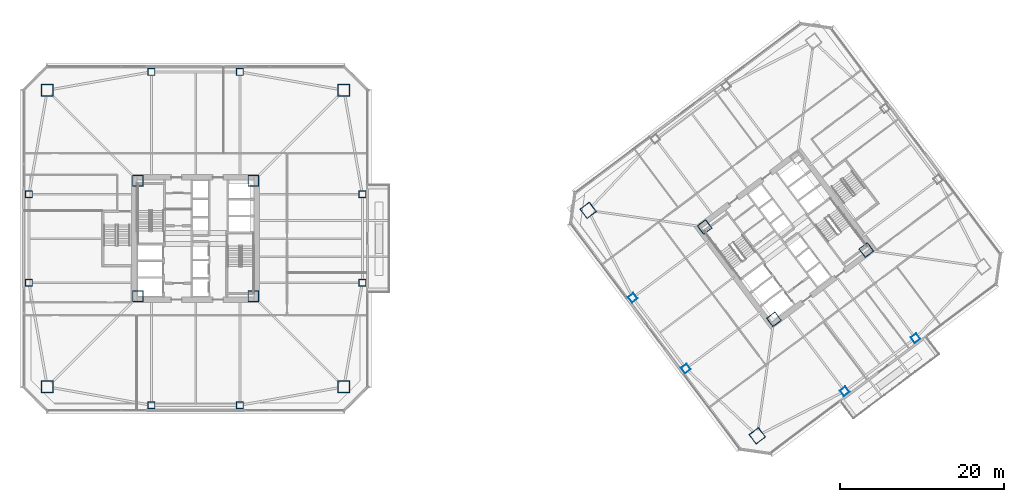
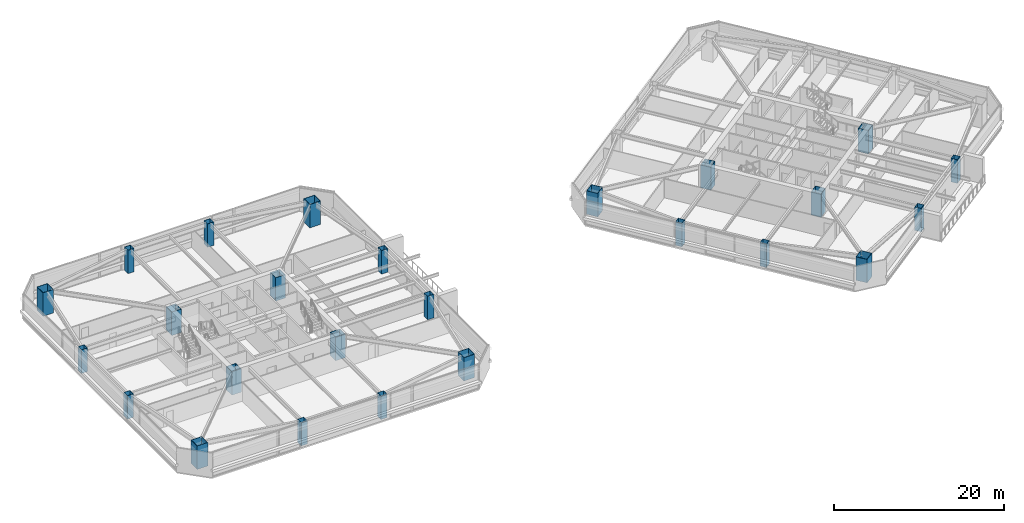
# One storey, part 1 of 46: 25 columns.
"""IFC4 building model written with IfcOpenShell, lengths in metres."""

import ifcopenshell
import ifcopenshell.guid

model = None  # the IFC model being written
_history = None  # IfcOwnerHistory: only IFC2X3 demands one
_inside = {}  # id of a spatial element -> (the spatial element, [elements in it])
_under = {}  # id of a project, library or spatial element -> (it, [spatial elements below it])
_declared = {}  # id of a project -> (the project, [libraries it declares])
_typed = {}  # id of a type object -> (the type object, [elements of that type])
_made_of = {}  # id of a material, layer set ... -> (it, [elements and type objects made of it])


def new_model(schema):
    """Start an empty IFC model of exactly this schema.

    Asked for "IFC4X3", IfcOpenShell would pick the latest addendum, in which some entities
    have other attributes; the version numbers below select the first issue.
    IFC2X3 requires an IfcOwnerHistory on every rooted entity: one is made here for all.
    """
    global model, _history
    if schema == "IFC4X3":
        model = ifcopenshell.file(schema_version=(4, 3, 0, 0))
    else:
        model = ifcopenshell.file(schema=schema)
    _inside.clear()
    _under.clear()
    _declared.clear()
    _typed.clear()
    _made_of.clear()
    _history = None
    if model.schema == "IFC2X3":
        org = make("IfcOrganization", Name="unknown")
        user = make(
            "IfcPersonAndOrganization",
            ThePerson=make("IfcPerson", FamilyName="unknown"),
            TheOrganization=org,
        )
        app = make(
            "IfcApplication",
            ApplicationDeveloper=org,
            Version="unknown",
            ApplicationFullName="unknown",
            ApplicationIdentifier="unknown",
        )
        _history = make(
            "IfcOwnerHistory",
            OwningUser=user,
            OwningApplication=app,
            ChangeAction="ADDED",
            CreationDate=0,
        )
    return model


def make(cls, **values):
    """One entity of the class cls with the attributes given. An attribute that is None is left unset."""
    return model.create_entity(
        cls, **{name: value for name, value in values.items() if value is not None}
    )


def rooted(cls, **values):
    """An entity with a GlobalId (a new one), such as an element, a storey or a relation."""
    return make(cls, GlobalId=ifcopenshell.guid.new(), OwnerHistory=_history, **values)


def si_unit(unit_type, name, prefix=None):
    """IfcSIUnit, for example si_unit("LENGTHUNIT", "METRE", prefix="MILLI")."""
    return make("IfcSIUnit", UnitType=unit_type, Prefix=prefix, Name=name)


def assignment(units):
    """IfcUnitAssignment: the units of a project."""
    return None if units is None else make("IfcUnitAssignment", Units=units)


def point(xyz):
    """IfcCartesianPoint."""
    return None if xyz is None else make("IfcCartesianPoint", Coordinates=xyz)


def direction(xyz):
    """IfcDirection."""
    return None if xyz is None else make("IfcDirection", DirectionRatios=xyz)


def frame(location, z_axis=None, x_axis=None):
    """IfcAxis2Placement3D, a coordinate frame: its origin and axes. An axis left out is left unset."""
    return make(
        "IfcAxis2Placement3D",
        Location=point(location),
        Axis=direction(z_axis),
        RefDirection=direction(x_axis),
    )


def frame_2d(location, x_axis=None):
    """IfcAxis2Placement2D, a coordinate frame in the plane: its origin and x axis."""
    return make(
        "IfcAxis2Placement2D", Location=point(location), RefDirection=direction(x_axis)
    )


def origin():
    """The frame at (0, 0, 0) with its axes left unset."""
    return frame((0.0, 0.0, 0.0))


def origin_2d():
    """The frame at (0, 0) in the plane with its x axis left unset."""
    return frame_2d((0.0, 0.0))


def place(relative_to, where):
    """IfcLocalPlacement: puts the frame where relative to a parent placement (None: the world)."""
    return make(
        "IfcLocalPlacement", PlacementRelTo=relative_to, RelativePlacement=where
    )


def context(
    kind, dimensions, precision=None, world=None, true_north=None, identifier=None
):
    """IfcGeometricRepresentationContext, for example the 3D "Model" context."""
    return make(
        "IfcGeometricRepresentationContext",
        ContextIdentifier=identifier,
        ContextType=kind,
        CoordinateSpaceDimension=dimensions,
        Precision=precision,
        WorldCoordinateSystem=world,
        TrueNorth=true_north,
    )


def subcontext(parent, identifier, kind, view, scale=None):
    """IfcGeometricRepresentationSubContext, for example "Body" below "Model"."""
    return make(
        "IfcGeometricRepresentationSubContext",
        ContextIdentifier=identifier,
        ContextType=kind,
        ParentContext=parent,
        TargetScale=scale,
        TargetView=view,
    )


def project(units=None, contexts=None):
    """IfcProject with its units and contexts."""
    return rooted(
        "IfcProject",
        Name="project",
        RepresentationContexts=contexts,
        UnitsInContext=assignment(units),
    )


def spatial(cls, under=None, at=None, **own):
    """A site, building, storey or space (cls), placed at a placement, below another one or the project."""
    s = rooted(cls, ObjectPlacement=at, **own)
    if under is not None:
        _under.setdefault(under.id(), (under, []))[1].append(s)
    return s


def profile(cls, at=None, kind="AREA", **sizes):
    """A parametric profile (cls). Its sizes go by their IFC names, for example OverallWidth=200.0."""
    return make(cls, ProfileType=kind, Position=at, **sizes)


def hollow_rectangle(**sizes):
    """IfcRectangleHollowProfileDef."""
    return profile("IfcRectangleHollowProfileDef", **sizes)


def extrude(swept, where, along, depth):
    """IfcExtrudedAreaSolid: the profile swept, set in the frame where, extruded along a direction by depth."""
    return make(
        "IfcExtrudedAreaSolid",
        SweptArea=swept,
        Position=where,
        ExtrudedDirection=direction(along),
        Depth=depth,
    )


def shape(context_of_items, identifier, shape_type, items):
    """IfcShapeRepresentation: the items that make up one representation, for example the "Body"."""
    return make(
        "IfcShapeRepresentation",
        ContextOfItems=context_of_items,
        RepresentationIdentifier=identifier,
        RepresentationType=shape_type,
        Items=items,
    )


def material(Name=None, Category=None):
    """IfcMaterial."""
    return make("IfcMaterial", Name=Name, Category=Category)


def material_profile(
    of_material, cross_section, Name=None, Category=None, Priority=None
):
    """IfcMaterialProfile: a cross section and its material."""
    return make(
        "IfcMaterialProfile",
        Name=Name,
        Material=of_material,
        Profile=cross_section,
        Priority=Priority,
        Category=Category,
    )


def profile_set(profiles, Name=None, composite=None):
    """IfcMaterialProfileSet."""
    return make(
        "IfcMaterialProfileSet",
        Name=Name,
        MaterialProfiles=profiles,
        CompositeProfile=composite,
    )


def made_of(thing, what):
    """Note that an element or type object is made of a material, layer set ...; save() writes the relation."""
    if what is not None:
        _made_of.setdefault(what.id(), (what, []))[1].append(thing)
    return thing


def type_object(cls, material=None, **own):
    """A type object (cls), such as IfcWallType, which elements share."""
    return made_of(rooted(cls, **own), material)


def element(
    cls,
    number,
    at=None,
    inside=None,
    cuts=None,
    type_object=None,
    material=None,
    context=None,
    identifier="Body",
    shape_type=None,
    held_by="IfcProductDefinitionShape",
    body=None,
    shapes=None,
    **own,
):
    """One element of the class cls, such as IfcWall. Its Tag is "e" and its number.

    at: its placement. inside: the storey or other place that contains it. cuts: it is an
    opening in that element (IfcRelVoidsElement). A single representation is given by context,
    identifier, shape_type and body (its items); several are given by shapes. held_by: the class
    of the entity that holds the representations. save() writes the other relations.
    """
    e = rooted(cls, Tag="e%d" % number, ObjectPlacement=at, **own)
    if body is not None:
        shapes = [shape(context, identifier, shape_type, body)]
    if shapes is not None:
        e.Representation = make(held_by, Representations=shapes)
    if inside is not None:
        _inside.setdefault(inside.id(), (inside, []))[1].append(e)
    if cuts is not None:
        rooted(
            "IfcRelVoidsElement", RelatingBuildingElement=cuts, RelatedOpeningElement=e
        )
    if type_object is not None:
        _typed.setdefault(type_object.id(), (type_object, []))[1].append(e)
    return made_of(e, material)


def aggregate(whole, parts):
    """IfcRelAggregates: a whole, such as a stair, and the parts it consists of."""
    return rooted("IfcRelAggregates", RelatingObject=whole, RelatedObjects=parts)


def save(model, path):
    """Write the relations noted so far, then the file.

    IfcRelAggregates (storeys below a building ...), IfcRelContainedInSpatialStructure (elements
    in a storey), IfcRelDefinesByType, IfcRelAssociatesMaterial and IfcRelDeclares: one each for
    every whole, place, type object, material and project.
    """
    for whole, parts in _under.values():
        aggregate(whole, parts)
    for where, things in _inside.values():
        rooted(
            "IfcRelContainedInSpatialStructure",
            RelatedElements=things,
            RelatingStructure=where,
        )
    for kind, things in _typed.values():
        rooted("IfcRelDefinesByType", RelatedObjects=things, RelatingType=kind)
    for what, things in _made_of.values():
        rooted("IfcRelAssociatesMaterial", RelatedObjects=things, RelatingMaterial=what)
    for by, libraries in _declared.values():
        rooted("IfcRelDeclares", RelatingContext=by, RelatedDefinitions=libraries)
    model.write(path)


model = new_model("IFC4")

# Units and contexts
model_context = context("Model", 3, precision=1e-05, world=origin(), true_north=direction((0.0, 1.0)))
body_context = subcontext(model_context, "Body", "Model", "MODEL_VIEW")
ifc_project = project(units=[si_unit("LENGTHUNIT", "METRE"), si_unit("AREAUNIT", "SQUARE_METRE"), si_unit("VOLUMEUNIT", "CUBIC_METRE"), si_unit("PLANEANGLEUNIT", "RADIAN"), si_unit("MASSUNIT", "GRAM", prefix="KILO")], contexts=[model_context])

# Site, building, storey
site_placement = place(None, origin())
site = spatial("IfcSite", under=ifc_project, at=site_placement, CompositionType="ELEMENT")
building_placement = place(site_placement, origin())
building = spatial("IfcBuilding", under=site, at=building_placement, Name="Tashvorn Skyway Center", CompositionType="ELEMENT")
storey_placement = place(building_placement, frame((0.0, 0.0, 99.14990234375)))
storey = spatial("IfcBuildingStorey", under=building, at=storey_placement, Name="L26", CompositionType="ELEMENT", Elevation=99.14990234375)

# Columns
ifc_material = material(Name="Steel ASTM A572 Grade 50", Category="steel")
ifc_material_profile_1 = material_profile(ifc_material, hollow_rectangle(XDim=1.300048828125, YDim=1.300048828125, WallThickness=0.050048828125, at=origin_2d()), Name="BOX1300x1300x50")
ifc_profile_set_1 = profile_set([ifc_material_profile_1], Name="Steel ASTM A572 Grade 50")
column_type_1 = type_object("IfcColumnType", Name="COL-BOX1300x1300x50", PredefinedType="COLUMN", material=ifc_profile_set_1)
for number, where, z_axis, x_axis, name in (
    (1, (34.949951171875, 24.949951171875, 0.0), (0.0, 0.0, 1.0), (1.0, 0.0, 0.0), "Tower 1 L26 Core Corner Column CC-SW"),
    (2, (49.050048828125, 24.949951171875, 0.0), (0.0, 0.0, 1.0), (1.0, 0.0, 0.0), "Tower 1 L26 Core Corner Column CC-SE"),
    (3, (49.050048828125, 39.050048828125, 0.0), (0.0, 0.0, 1.0), (1.0, 0.0, 0.0), "Tower 1 L26 Core Corner Column CC-NE"),
    (4, (34.949951171875, 39.050048828125, 0.0), (0.0, 0.0, 1.0), (1.0, 0.0, 0.0), "Tower 1 L26 Core Corner Column CC-NW"),
    (5, (112.590087890625, 22.1298828125, 0.0), (0.0, 0.0, 1.0), (0.799999996291, 0.600000004945, 0.0), "Tower 2 L26 Core Corner Column CC-SW"),
    (6, (123.8701171875, 30.590087890625, 0.0), (0.0, 0.0, 1.0), (0.799999996291, 0.600000004945, 0.0), "Tower 2 L26 Core Corner Column CC-SE"),
    (7, (104.1298828125, 33.409912109375, 0.0), (0.0, 0.0, 1.0), (0.799999996291, 0.600000004945, 0.0), "Tower 2 L26 Core Corner Column CC-NW"),
):
    element("IfcColumn", number, at=place(storey_placement, frame(where, z_axis=z_axis, x_axis=x_axis)), inside=storey, type_object=column_type_1, Name=name, PredefinedType="COLUMN", context=body_context, shape_type="SweptSolid", body=[
        extrude(hollow_rectangle(XDim=1.300048828125, YDim=1.300048828125, WallThickness=0.050048828125, at=origin_2d()), origin(), (0.0, 0.0, 1.0), 3.35009765625),
    ])
ifc_material_profile_2 = material_profile(ifc_material, hollow_rectangle(XDim=1.449951171875, YDim=1.449951171875, WallThickness=0.054931640625, at=origin_2d()), Name="BOX1450x1450x55")
ifc_profile_set_2 = profile_set([ifc_material_profile_2], Name="Steel ASTM A572 Grade 50")
column_type_2 = type_object("IfcColumnType", Name="COL-BOX1450x1450x55", PredefinedType="COLUMN", material=ifc_profile_set_2)
for number, where, z_axis, x_axis, name in (
    (8, (23.89990234375, 13.89990234375, 0.0), (0.0, 0.0, 1.0), (1.0, 0.0, 0.0), "Tower 1 L26 Mega-Column MC-SW"),
    (9, (60.10009765625, 13.89990234375, 0.0), (0.0, 0.0, 1.0), (1.0, 0.0, 0.0), "Tower 1 L26 Mega-Column MC-SE"),
    (10, (60.10009765625, 50.10009765625, 0.0), (0.0, 0.0, 1.0), (1.0, 0.0, 0.0), "Tower 1 L26 Mega-Column MC-NE"),
    (11, (23.89990234375, 50.10009765625, 0.0), (0.0, 0.0, 1.0), (1.0, 0.0, 0.0), "Tower 1 L26 Mega-Column MC-NW"),
    (12, (110.56005859375, 7.919921875, 0.0), (0.0, 0.0, 1.0), (0.799999996291, 0.600000004945, 0.0), "Tower 2 L26 Mega-Column MC-SW"),
    (13, (89.919921875, 35.43994140625, 0.0), (0.0, 0.0, 1.0), (0.799999996291, 0.600000004945, 0.0), "Tower 2 L26 Mega-Column MC-NW"),
):
    element("IfcColumn", number, at=place(storey_placement, frame(where, z_axis=z_axis, x_axis=x_axis)), inside=storey, type_object=column_type_2, Name=name, PredefinedType="COLUMN", context=body_context, shape_type="SweptSolid", body=[
        extrude(hollow_rectangle(XDim=1.449951171875, YDim=1.449951171875, WallThickness=0.054931640625, at=origin_2d()), origin(), (0.0, 0.0, 1.0), 3.35009765625),
    ])
ifc_material_profile_3 = material_profile(ifc_material, hollow_rectangle(XDim=0.85009765625, YDim=0.85009765625, WallThickness=0.034912109375, at=origin_2d()), Name="BOX850x850x35")
ifc_profile_set_3 = profile_set([ifc_material_profile_3], Name="Steel ASTM A572 Grade 50")
column_type_3 = type_object("IfcColumnType", Name="COL-BOX850x850x35", PredefinedType="COLUMN", material=ifc_profile_set_3)
for number, where, z_axis, x_axis, name in (
    (14, (36.60009765625, 11.64990234375, 0.0), (0.0, 0.0, 1.0), (1.0, 0.0, 0.0), "Tower 1 L26 Perimeter Column FC-S1"),
    (15, (47.39990234375, 11.64990234375, 0.0), (0.0, 0.0, 1.0), (1.0, 0.0, 0.0), "Tower 1 L26 Perimeter Column FC-S2"),
    (16, (62.35009765625, 26.60009765625, 0.0), (0.0, 0.0, 1.0), (1.0, 0.0, 0.0), "Tower 1 L26 Perimeter Column FC-E1"),
    (17, (62.35009765625, 37.39990234375, 0.0), (0.0, 0.0, 1.0), (1.0, 0.0, 0.0), "Tower 1 L26 Perimeter Column FC-E2"),
    (18, (47.39990234375, 52.35009765625, 0.0), (0.0, 0.0, 1.0), (1.0, 0.0, 0.0), "Tower 1 L26 Perimeter Column FC-N1"),
    (19, (36.60009765625, 52.35009765625, 0.0), (0.0, 0.0, 1.0), (1.0, 0.0, 0.0), "Tower 1 L26 Perimeter Column FC-N2"),
    (20, (21.64990234375, 37.39990234375, 0.0), (0.0, 0.0, 1.0), (1.0, 0.0, 0.0), "Tower 1 L26 Perimeter Column FC-W1"),
    (21, (21.64990234375, 26.60009765625, 0.0), (0.0, 0.0, 1.0), (1.0, 0.0, 0.0), "Tower 1 L26 Perimeter Column FC-W2"),
    (22, (121.22998046875, 13.360107421875, 0.0), (0.0, 0.0, 1.0), (0.799999996291, 0.600000004945, 0.0), "Tower 2 L26 Perimeter Column FC-S1"),
    (23, (129.8701171875, 19.840087890625, 0.0), (0.0, 0.0, 1.0), (0.799999996291, 0.600000004945, 0.0), "Tower 2 L26 Perimeter Column FC-S2"),
    (24, (95.360107421875, 24.77001953125, 0.0), (0.0, 0.0, 1.0), (0.799999996291, 0.600000004945, 0.0), "Tower 2 L26 Perimeter Column FC-W1"),
    (25, (101.840087890625, 16.1298828125, 0.0), (0.0, 0.0, 1.0), (0.799999996291, 0.600000004945, 0.0), "Tower 2 L26 Perimeter Column FC-W2"),
):
    element("IfcColumn", number, at=place(storey_placement, frame(where, z_axis=z_axis, x_axis=x_axis)), inside=storey, type_object=column_type_3, Name=name, PredefinedType="COLUMN", context=body_context, shape_type="SweptSolid", body=[
        extrude(hollow_rectangle(XDim=0.85009765625, YDim=0.85009765625, WallThickness=0.034912109375, at=origin_2d()), origin(), (0.0, 0.0, 1.0), 3.35009765625),
    ])

save(model, "model.ifc")
